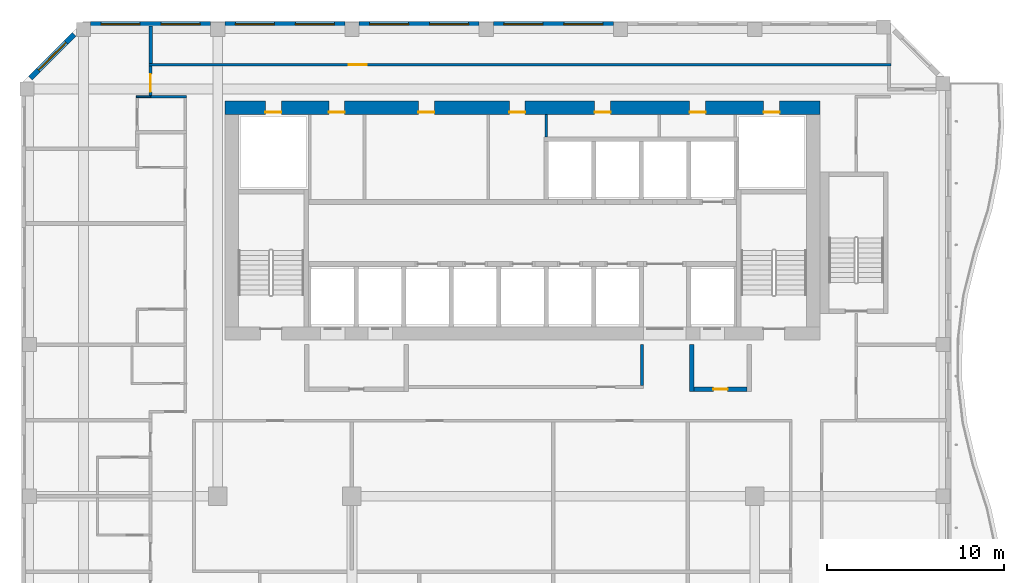
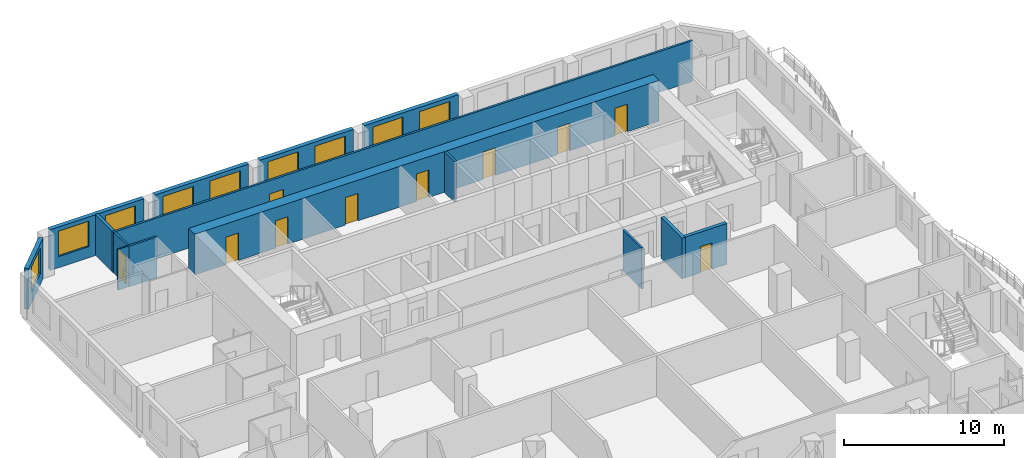
# One storey, part 8 of 21: 15 walls, 10 doors, 9 windows, 19 openings.
"""IFC4 building model written with IfcOpenShell, lengths in metres."""

from ifc_helpers import new_model, si_unit, direction, frame, frame_2d, origin, place, context, subcontext, project, spatial, rectangle, extrude, source, transform, mapped, material, layer, layer_set, type_object, element, fill, save


model = new_model("IFC4")

# Units and contexts
model_context = context("Model", 3, precision=1e-05, world=origin(), true_north=direction((0.0, 1.0)))
body_context = subcontext(model_context, "Body", "Model", "MODEL_VIEW")
ifc_project = project(units=[si_unit("LENGTHUNIT", "METRE"), si_unit("AREAUNIT", "SQUARE_METRE"), si_unit("VOLUMEUNIT", "CUBIC_METRE"), si_unit("PLANEANGLEUNIT", "RADIAN"), si_unit("MASSUNIT", "GRAM", prefix="KILO")], contexts=[model_context])

# Site, building, storey
site_placement = place(None, origin())
site = spatial("IfcSite", under=ifc_project, at=site_placement, CompositionType="ELEMENT")
building_placement = place(site_placement, origin())
building = spatial("IfcBuilding", under=site, at=building_placement, Name="Kilnfold Tower and Market Hall", CompositionType="ELEMENT")
storey_placement = place(building_placement, frame((0.0, 0.0, 185.5)))
storey = spatial("IfcBuildingStorey", under=building, at=storey_placement, Name="L44", CompositionType="ELEMENT", Elevation=185.5)

# Wall, opening, door
ifc_material_1 = material(Name="Gypsum board on steel studs", Category="steel")
ifc_layer_1 = layer(ifc_material_1, 0.14990234375)
ifc_layer_set_1 = layer_set([ifc_layer_1], Name="Gypsum board on steel studs")
wall_type_1 = type_object("IfcWallType", Name="WALL CORRIDOR 150", PredefinedType="PARTITIONING", material=ifc_layer_set_1)
wall_1_placement = place(storey_placement, frame((-19.958984375, 22.074951171875, 0.0), z_axis=(0.0, 0.0, 1.0), x_axis=(0.0, 1.0, 0.0)))
wall_1 = element("IfcWall", 1, at=wall_1_placement, inside=storey, type_object=wall_type_1, Name="Partition LY27.26", PredefinedType="PARTITIONING", context=body_context, shape_type="SweptSolid", body=[
    extrude(rectangle(XDim=1.650146484375, YDim=0.14990234375, at=frame_2d((0.8251953125, 0.0))), origin(), (0.0, 0.0, 1.0), 3.1201171875),
])
opening_1_placement = place(wall_1_placement, frame((0.199951171875, 0.0, 0.0)))
opening_1 = element("IfcOpeningElement", 2, at=opening_1_placement, cuts=wall_1, Name="Opening D1", PredefinedType="OPENING", context=body_context, shape_type="SweptSolid", body=[
    extrude(rectangle(XDim=1.0, YDim=2.10009765625, at=frame_2d((0.5, 1.050048828125))), frame((0.0, 0.0849609375, 0.0), z_axis=(0.0, -1.0, 0.0), x_axis=(1.0, 0.0, 0.0)), (0.0, 0.0, 1.0), 0.169921875),
])
ifc_material_2 = material(Name="Timber veneer door leaf in steel frame", Category="steel")
door_type_1 = type_object("IfcDoorType", Name="DOOR ENTRY 1000 X2100", OperationType="NOTDEFINED", PredefinedType="DOOR", material=ifc_material_2)
door_1_placement = place(opening_1_placement, origin())
door_1 = element("IfcDoor", 3, at=door_1_placement, inside=storey, type_object=door_type_1, Name="Door D1", OperationType="SINGLE_SWING_LEFT", OverallHeight=2.10009765625, OverallWidth=1.0, PredefinedType="DOOR", context=body_context, shape_type="SweptSolid", body=[
    extrude(rectangle(XDim=1.0, YDim=2.10009765625, at=frame_2d((0.5, 1.050048828125))), frame((0.0, 0.02490234375, 0.0), z_axis=(0.0, -1.0, 0.0), x_axis=(1.0, 0.0, 0.0)), (0.0, 0.0, 1.0), 0.050048828125),
])
fill(opening_1, door_1)

# Wall
wall_2_placement = place(storey_placement, frame((-19.958984375, 22.0, 0.0), z_axis=(0.0, 0.0, 1.0), x_axis=(1.0, 0.0, 0.0)))
element("IfcWall", 4, at=wall_2_placement, inside=storey, type_object=wall_type_1, Name="Partition LY27.28", PredefinedType="PARTITIONING", context=body_context, shape_type="SweptSolid", body=[
    extrude(rectangle(XDim=2.033935546875, YDim=0.14990234375, at=frame_2d((1.01708984375, 0.0))), origin(), (0.0, 0.0, 1.0), 3.1201171875),
])

# Wall, opening, door
wall_3_placement = place(storey_placement, frame((21.85009765625, 23.800048828125, 0.0), z_axis=(0.0, 0.0, 1.0), x_axis=(-1.0, 0.0, 0.0)))
wall_3 = element("IfcWall", 5, at=wall_3_placement, inside=storey, type_object=wall_type_1, Name="Partition LY27.39", PredefinedType="PARTITIONING", context=body_context, shape_type="SweptSolid", body=[
    extrude(rectangle(XDim=41.9091796875, YDim=0.14990234375, at=frame_2d((20.95458984375, 0.0))), origin(), (0.0, 0.0, 1.0), 3.1201171875),
])
opening_2_placement = place(wall_3_placement, frame((29.60693359375, 0.0, 0.0)))
opening_2 = element("IfcOpeningElement", 6, at=opening_2_placement, cuts=wall_3, Name="Opening D4", PredefinedType="OPENING", context=body_context, shape_type="SweptSolid", body=[
    extrude(rectangle(XDim=1.0, YDim=2.10009765625, at=frame_2d((0.5, 1.050048828125))), frame((0.0, 0.0849609375, 0.0), z_axis=(0.0, -1.0, 0.0), x_axis=(1.0, 0.0, 0.0)), (0.0, 0.0, 1.0), 0.169921875),
])
ifc_material_3 = material(Name="Timber veneer door leaf in steel frame", Category="steel")
door_type_2 = type_object("IfcDoorType", Name="DOOR SERVICE 1000 X2100", OperationType="NOTDEFINED", PredefinedType="DOOR", material=ifc_material_3)
door_2_placement = place(opening_2_placement, origin())
door_2 = element("IfcDoor", 7, at=door_2_placement, inside=storey, type_object=door_type_2, Name="Door D4", OperationType="SINGLE_SWING_LEFT", OverallHeight=2.10009765625, OverallWidth=1.0, PredefinedType="DOOR", context=body_context, shape_type="SweptSolid", body=[
    extrude(rectangle(XDim=1.0, YDim=2.10009765625, at=frame_2d((0.5, 1.050048828125))), frame((0.0, 0.02490234375, 0.0), z_axis=(0.0, -1.0, 0.0), x_axis=(1.0, 0.0, 0.0)), (0.0, 0.0, 1.0), 0.050048828125),
])
fill(opening_2, door_2)

# Walls
wall_4_placement = place(storey_placement, frame((7.800048828125, 8.0, 0.0), z_axis=(0.0, 0.0, 1.0), x_axis=(0.0, -1.0, 0.0)))
element("IfcWall", 8, at=wall_4_placement, inside=storey, type_object=wall_type_1, Name="Partition LY27.41", PredefinedType="PARTITIONING", context=body_context, shape_type="SweptSolid", body=[
    extrude(rectangle(XDim=2.324951171875, YDim=0.14990234375, at=frame_2d((1.16259765625, 0.0))), origin(), (0.0, 0.0, 1.0), 3.1201171875),
])
ifc_material_4 = material(Name="Gypsum board on steel studs", Category="steel")
ifc_layer_2 = layer(ifc_material_4, 0.10009765625)
ifc_layer_set_2 = layer_set([ifc_layer_2], Name="Gypsum board on steel studs")
wall_type_2 = type_object("IfcWallType", Name="WALL PARTITION 100", PredefinedType="PARTITIONING", material=ifc_layer_set_2)
wall_5_placement = place(storey_placement, frame((-20.751953125, 22.0, 0.0), z_axis=(0.0, 0.0, 1.0), x_axis=(1.0, 0.0, 0.0)))
element("IfcWall", 9, at=wall_5_placement, inside=storey, type_object=wall_type_2, Name="Partition LY27.108", PredefinedType="PARTITIONING", context=body_context, shape_type="SweptSolid", body=[
    extrude(rectangle(XDim=0.791015625, YDim=0.10009765625, at=frame_2d((0.3955078125, 0.0))), origin(), (0.0, 0.0, 1.0), 3.1201171875),
])
ifc_material_5 = material(Name="Gypsum board on steel studs", Category="steel")
ifc_layer_3 = layer(ifc_material_5, 0.199951171875)
ifc_layer_set_3 = layer_set([ifc_layer_3], Name="Gypsum board on steel studs")
wall_type_3 = type_object("IfcWallType", Name="WALL PARTY 200", PredefinedType="PARTITIONING", material=ifc_layer_set_3)
wall_6_placement = place(storey_placement, frame((-19.958984375, 23.876953125, 0.0), z_axis=(0.0, 0.0, 1.0), x_axis=(0.0, 1.0, 0.0)))
element("IfcWall", 10, at=wall_6_placement, inside=storey, type_object=wall_type_3, Name="Partition LY27.110", PredefinedType="PARTITIONING", context=body_context, shape_type="SweptSolid", body=[
    extrude(rectangle(XDim=2.123046875, YDim=0.199951171875, at=frame_2d((1.0615234375, 0.0))), origin(), (0.0, 0.0, 1.0), 3.1201171875),
])

# Wall, openings, doors
ifc_material_6 = material(Name="Concrete C60", Category="concrete")
ifc_layer_4 = layer(ifc_material_6, 0.75)
ifc_layer_set_4 = layer_set([ifc_layer_4], Name="Concrete C60")
wall_type_4 = type_object("IfcWallType", Name="CORE WALL 750 C60", PredefinedType="SHEAR", material=ifc_layer_set_4)
shared_shape_1 = source(origin(), body_context, "Body", "SweptSolid", [
    extrude(rectangle(XDim=33.60009765625, YDim=0.75, at=frame_2d((16.800048828125, 0.0))), origin(), (0.0, 0.0, 1.0), 3.1201171875),
])
wall_7_placement = place(storey_placement, frame((-15.75, 21.375, 0.0), z_axis=(0.0, 0.0, 1.0), x_axis=(1.0, 0.0, 0.0)))
wall_7 = element("IfcWall", 11, at=wall_7_placement, inside=storey, type_object=wall_type_4, Name="Core outer wall north", PredefinedType="SHEAR", context=body_context, shape_type="MappedRepresentation", body=[
    mapped(shared_shape_1, transform((0.0, 0.0, 0.0))),
])
opening_3_placement = place(wall_7_placement, frame((5.85791015625, 0.0, 0.0)))
opening_3 = element("IfcOpeningElement", 12, at=opening_3_placement, cuts=wall_7, Name="Opening KD1", PredefinedType="OPENING", context=body_context, shape_type="SweptSolid", body=[
    extrude(rectangle(XDim=0.89990234375, YDim=2.10009765625, at=frame_2d((0.449951171875, 1.050048828125))), frame((0.0, 0.385009765625, 0.0), z_axis=(0.0, -1.0, 0.0), x_axis=(1.0, 0.0, 0.0)), (0.0, 0.0, 1.0), 0.77001953125),
])
opening_4_placement = place(wall_7_placement, frame((10.923095703125, 0.0, 0.0)))
opening_4 = element("IfcOpeningElement", 13, at=opening_4_placement, cuts=wall_7, Name="Opening KD1", PredefinedType="OPENING", context=body_context, shape_type="SweptSolid", body=[
    extrude(rectangle(XDim=0.89990234375, YDim=2.10009765625, at=frame_2d((0.449951171875, 1.050048828125))), frame((0.0, 0.385009765625, 0.0), z_axis=(0.0, -1.0, 0.0), x_axis=(1.0, 0.0, 0.0)), (0.0, 0.0, 1.0), 0.77001953125),
])
opening_5_placement = place(wall_7_placement, frame((16.05517578125, 0.0, 0.0)))
opening_5 = element("IfcOpeningElement", 14, at=opening_5_placement, cuts=wall_7, Name="Opening KD1", PredefinedType="OPENING", context=body_context, shape_type="SweptSolid", body=[
    extrude(rectangle(XDim=0.89990234375, YDim=2.10009765625, at=frame_2d((0.449951171875, 1.050048828125))), frame((0.0, 0.385009765625, 0.0), z_axis=(0.0, -1.0, 0.0), x_axis=(1.0, 0.0, 0.0)), (0.0, 0.0, 1.0), 0.77001953125),
])
opening_6_placement = place(wall_7_placement, frame((20.879150390625, 0.0, 0.0)))
opening_6 = element("IfcOpeningElement", 15, at=opening_6_placement, cuts=wall_7, Name="Opening KD1", PredefinedType="OPENING", context=body_context, shape_type="SweptSolid", body=[
    extrude(rectangle(XDim=0.89990234375, YDim=2.10009765625, at=frame_2d((0.449951171875, 1.050048828125))), frame((0.0, 0.385009765625, 0.0), z_axis=(0.0, -1.0, 0.0), x_axis=(1.0, 0.0, 0.0)), (0.0, 0.0, 1.0), 0.77001953125),
])
opening_7_placement = place(wall_7_placement, frame((26.2392578125, 0.0, 0.0)))
opening_7 = element("IfcOpeningElement", 16, at=opening_7_placement, cuts=wall_7, Name="Opening KD1", PredefinedType="OPENING", context=body_context, shape_type="SweptSolid", body=[
    extrude(rectangle(XDim=0.89990234375, YDim=2.10009765625, at=frame_2d((0.449951171875, 1.050048828125))), frame((0.0, 0.385009765625, 0.0), z_axis=(0.0, -1.0, 0.0), x_axis=(1.0, 0.0, 0.0)), (0.0, 0.0, 1.0), 0.77001953125),
])
opening_8_placement = place(wall_7_placement, frame((2.27490234375, 0.0, 0.0)))
opening_8 = element("IfcOpeningElement", 17, at=opening_8_placement, cuts=wall_7, Name="Opening KD1", PredefinedType="OPENING", context=body_context, shape_type="SweptSolid", body=[
    extrude(rectangle(XDim=0.89990234375, YDim=2.10009765625, at=frame_2d((0.449951171875, 1.050048828125))), frame((0.0, 0.385009765625, 0.0), z_axis=(0.0, -1.0, 0.0), x_axis=(1.0, 0.0, 0.0)), (0.0, 0.0, 1.0), 0.77001953125),
])
opening_9_placement = place(wall_7_placement, frame((30.425048828125, 0.0, 0.0)))
opening_9 = element("IfcOpeningElement", 18, at=opening_9_placement, cuts=wall_7, Name="Opening KD1", PredefinedType="OPENING", context=body_context, shape_type="SweptSolid", body=[
    extrude(rectangle(XDim=0.89990234375, YDim=2.10009765625, at=frame_2d((0.449951171875, 1.050048828125))), frame((0.0, 0.385009765625, 0.0), z_axis=(0.0, -1.0, 0.0), x_axis=(1.0, 0.0, 0.0)), (0.0, 0.0, 1.0), 0.77001953125),
])
ifc_material_7 = material(Name="Steel door set with fire-resisting leaf", Category="steel")
door_type_3 = type_object("IfcDoorType", Name="SERVICE DOOR 900X2100", OperationType="NOTDEFINED", PredefinedType="DOOR", material=ifc_material_7)
door_3_placement = place(opening_3_placement, origin())
door_3 = element("IfcDoor", 19, at=door_3_placement, inside=storey, type_object=door_type_3, Name="Core service door", OperationType="SINGLE_SWING_RIGHT", OverallHeight=2.10009765625, OverallWidth=0.89990234375, PredefinedType="DOOR", context=body_context, shape_type="SweptSolid", body=[
    extrude(rectangle(XDim=0.89990234375, YDim=2.10009765625, at=frame_2d((0.449951171875, 1.050048828125))), frame((0.0, -0.22998046875, 0.0), z_axis=(0.0, -1.0, 0.0), x_axis=(1.0, 0.0, 0.0)), (0.0, 0.0, 1.0), 0.050048828125),
])
fill(opening_3, door_3)
door_4_placement = place(opening_4_placement, origin())
door_4 = element("IfcDoor", 20, at=door_4_placement, inside=storey, type_object=door_type_3, Name="Core service door", OperationType="SINGLE_SWING_LEFT", OverallHeight=2.10009765625, OverallWidth=0.89990234375, PredefinedType="DOOR", context=body_context, shape_type="SweptSolid", body=[
    extrude(rectangle(XDim=0.89990234375, YDim=2.10009765625, at=frame_2d((0.449951171875, 1.050048828125))), frame((0.0, -0.22998046875, 0.0), z_axis=(0.0, -1.0, 0.0), x_axis=(1.0, 0.0, 0.0)), (0.0, 0.0, 1.0), 0.050048828125),
])
fill(opening_4, door_4)
door_5_placement = place(opening_5_placement, origin())
door_5 = element("IfcDoor", 21, at=door_5_placement, inside=storey, type_object=door_type_3, Name="Core service door", OperationType="SINGLE_SWING_RIGHT", OverallHeight=2.10009765625, OverallWidth=0.89990234375, PredefinedType="DOOR", context=body_context, shape_type="SweptSolid", body=[
    extrude(rectangle(XDim=0.89990234375, YDim=2.10009765625, at=frame_2d((0.449951171875, 1.050048828125))), frame((0.0, -0.22998046875, 0.0), z_axis=(0.0, -1.0, 0.0), x_axis=(1.0, 0.0, 0.0)), (0.0, 0.0, 1.0), 0.050048828125),
])
fill(opening_5, door_5)
door_6_placement = place(opening_6_placement, origin())
door_6 = element("IfcDoor", 22, at=door_6_placement, inside=storey, type_object=door_type_3, Name="Core service door", OperationType="SINGLE_SWING_LEFT", OverallHeight=2.10009765625, OverallWidth=0.89990234375, PredefinedType="DOOR", context=body_context, shape_type="SweptSolid", body=[
    extrude(rectangle(XDim=0.89990234375, YDim=2.10009765625, at=frame_2d((0.449951171875, 1.050048828125))), frame((0.0, -0.22998046875, 0.0), z_axis=(0.0, -1.0, 0.0), x_axis=(1.0, 0.0, 0.0)), (0.0, 0.0, 1.0), 0.050048828125),
])
fill(opening_6, door_6)
door_7_placement = place(opening_7_placement, origin())
door_7 = element("IfcDoor", 23, at=door_7_placement, inside=storey, type_object=door_type_3, Name="Core service door", OperationType="SINGLE_SWING_RIGHT", OverallHeight=2.10009765625, OverallWidth=0.89990234375, PredefinedType="DOOR", context=body_context, shape_type="SweptSolid", body=[
    extrude(rectangle(XDim=0.89990234375, YDim=2.10009765625, at=frame_2d((0.449951171875, 1.050048828125))), frame((0.0, -0.22998046875, 0.0), z_axis=(0.0, -1.0, 0.0), x_axis=(1.0, 0.0, 0.0)), (0.0, 0.0, 1.0), 0.050048828125),
])
fill(opening_7, door_7)
door_8_placement = place(opening_8_placement, origin())
door_8 = element("IfcDoor", 24, at=door_8_placement, inside=storey, type_object=door_type_3, Name="Electrical riser access door", OperationType="SINGLE_SWING_LEFT", OverallHeight=2.10009765625, OverallWidth=0.89990234375, PredefinedType="DOOR", context=body_context, shape_type="SweptSolid", body=[
    extrude(rectangle(XDim=0.89990234375, YDim=2.10009765625, at=frame_2d((0.449951171875, 1.050048828125))), frame((0.0, -0.22998046875, 0.0), z_axis=(0.0, -1.0, 0.0), x_axis=(1.0, 0.0, 0.0)), (0.0, 0.0, 1.0), 0.050048828125),
])
fill(opening_8, door_8)
door_9_placement = place(opening_9_placement, origin())
door_9 = element("IfcDoor", 25, at=door_9_placement, inside=storey, type_object=door_type_3, Name="Mechanical riser access door", OperationType="SINGLE_SWING_RIGHT", OverallHeight=2.10009765625, OverallWidth=0.89990234375, PredefinedType="DOOR", context=body_context, shape_type="SweptSolid", body=[
    extrude(rectangle(XDim=0.89990234375, YDim=2.10009765625, at=frame_2d((0.449951171875, 1.050048828125))), frame((0.0, -0.22998046875, 0.0), z_axis=(0.0, -1.0, 0.0), x_axis=(1.0, 0.0, 0.0)), (0.0, 0.0, 1.0), 0.050048828125),
])
fill(opening_9, door_9)

# Wall, openings, windows
ifc_material_8 = material(Name="Precast concrete C50/60", Category="concrete")
ifc_layer_5 = layer(ifc_material_8, 0.300048828125)
ifc_layer_set_5 = layer_set([ifc_layer_5], Name="Precast concrete C50/60")
wall_type_5 = type_object("IfcWallType", Name="PRECAST WALL 300", PredefinedType="SOLIDWALL", material=ifc_layer_set_5)
shared_shape_2 = source(origin(), body_context, "Body", "SweptSolid", [
    extrude(rectangle(XDim=6.783447265625, YDim=0.300048828125, at=frame_2d((3.3916015625, 0.0))), origin(), (0.0, 0.0, 1.0), 3.1201171875),
])
wall_8_placement = place(storey_placement, frame((6.183349609375, 26.10009765625, 0.0), z_axis=(0.0, 0.0, 1.0), x_axis=(-1.0, 0.0, 0.0)))
wall_8 = element("IfcWall", 26, at=wall_8_placement, inside=storey, type_object=wall_type_5, Name="External wall L44 N", PredefinedType="SOLIDWALL", context=body_context, shape_type="MappedRepresentation", body=[
    mapped(shared_shape_2, transform((0.0, 0.0, 0.0))),
])
opening_10_placement = place(wall_8_placement, frame((0.595703125, 0.0, 0.85009765625)))
opening_10 = element("IfcOpeningElement", 27, at=opening_10_placement, cuts=wall_8, Name="Opening W2", PredefinedType="OPENING", context=body_context, shape_type="SweptSolid", body=[
    extrude(rectangle(XDim=2.199951171875, YDim=1.949951171875, at=frame_2d((1.10009765625, 0.97509765625))), frame((0.0, 0.16015625, 0.0), z_axis=(0.0, -1.0, 0.0), x_axis=(1.0, 0.0, 0.0)), (0.0, 0.0, 1.0), 0.320068359375),
])
opening_11_placement = place(wall_8_placement, frame((3.987548828125, 0.0, 0.85009765625)))
opening_11 = element("IfcOpeningElement", 28, at=opening_11_placement, cuts=wall_8, Name="Opening W2", PredefinedType="OPENING", context=body_context, shape_type="SweptSolid", body=[
    extrude(rectangle(XDim=2.199951171875, YDim=1.949951171875, at=frame_2d((1.10009765625, 0.97509765625))), frame((0.0, 0.16015625, 0.0), z_axis=(0.0, -1.0, 0.0), x_axis=(1.0, 0.0, 0.0)), (0.0, 0.0, 1.0), 0.320068359375),
])
ifc_material_9 = material(Name="Aluminium frame and double glazing", Category="aluminium")
window_type = type_object("IfcWindowType", Name="WINDOW W2 2200X1950", PartitioningType="SINGLE_PANEL", PredefinedType="WINDOW", material=ifc_material_9)
window_1_placement = place(opening_10_placement, origin())
window_1 = element("IfcWindow", 29, at=window_1_placement, inside=storey, type_object=window_type, Name="Window W2 L44 N-1", OverallHeight=1.949951171875, OverallWidth=2.199951171875, PartitioningType="SINGLE_PANEL", PredefinedType="WINDOW", context=body_context, shape_type="SweptSolid", body=[
    extrude(rectangle(XDim=2.199951171875, YDim=1.949951171875, at=frame_2d((1.10009765625, 0.97509765625))), frame((0.0, 0.030029296875, 0.0), z_axis=(0.0, -1.0, 0.0), x_axis=(1.0, 0.0, 0.0)), (0.0, 0.0, 1.0), 0.06005859375),
])
fill(opening_10, window_1)
window_2_placement = place(opening_11_placement, origin())
window_2 = element("IfcWindow", 30, at=window_2_placement, inside=storey, type_object=window_type, Name="Window W2 L44 N-2", OverallHeight=1.949951171875, OverallWidth=2.199951171875, PartitioningType="SINGLE_PANEL", PredefinedType="WINDOW", context=body_context, shape_type="SweptSolid", body=[
    extrude(rectangle(XDim=2.199951171875, YDim=1.949951171875, at=frame_2d((1.10009765625, 0.97509765625))), frame((0.0, 0.030029296875, 0.0), z_axis=(0.0, -1.0, 0.0), x_axis=(1.0, 0.0, 0.0)), (0.0, 0.0, 1.0), 0.06005859375),
])
fill(opening_11, window_2)

wall_9_placement = place(storey_placement, frame((-1.39990234375, 26.10009765625, 0.0), z_axis=(0.0, 0.0, 1.0), x_axis=(-1.0, 0.0, 0.0)))
wall_9 = element("IfcWall", 31, at=wall_9_placement, inside=storey, type_object=wall_type_5, Name="External wall L44 N", PredefinedType="SOLIDWALL", context=body_context, shape_type="MappedRepresentation", body=[
    mapped(shared_shape_2, transform((0.0, 0.0, 0.0))),
])
opening_12_placement = place(wall_9_placement, frame((0.595703125, 0.0, 0.85009765625)))
opening_12 = element("IfcOpeningElement", 32, at=opening_12_placement, cuts=wall_9, Name="Opening W2", PredefinedType="OPENING", context=body_context, shape_type="SweptSolid", body=[
    extrude(rectangle(XDim=2.199951171875, YDim=1.949951171875, at=frame_2d((1.10009765625, 0.97509765625))), frame((0.0, 0.16015625, 0.0), z_axis=(0.0, -1.0, 0.0), x_axis=(1.0, 0.0, 0.0)), (0.0, 0.0, 1.0), 0.320068359375),
])
opening_13_placement = place(wall_9_placement, frame((3.987548828125, 0.0, 0.85009765625)))
opening_13 = element("IfcOpeningElement", 33, at=opening_13_placement, cuts=wall_9, Name="Opening W2", PredefinedType="OPENING", context=body_context, shape_type="SweptSolid", body=[
    extrude(rectangle(XDim=2.199951171875, YDim=1.949951171875, at=frame_2d((1.10009765625, 0.97509765625))), frame((0.0, 0.16015625, 0.0), z_axis=(0.0, -1.0, 0.0), x_axis=(1.0, 0.0, 0.0)), (0.0, 0.0, 1.0), 0.320068359375),
])
window_3_placement = place(opening_12_placement, origin())
window_3 = element("IfcWindow", 34, at=window_3_placement, inside=storey, type_object=window_type, Name="Window W2 L44 N-1", OverallHeight=1.949951171875, OverallWidth=2.199951171875, PartitioningType="SINGLE_PANEL", PredefinedType="WINDOW", context=body_context, shape_type="SweptSolid", body=[
    extrude(rectangle(XDim=2.199951171875, YDim=1.949951171875, at=frame_2d((1.10009765625, 0.97509765625))), frame((0.0, 0.030029296875, 0.0), z_axis=(0.0, -1.0, 0.0), x_axis=(1.0, 0.0, 0.0)), (0.0, 0.0, 1.0), 0.06005859375),
])
fill(opening_12, window_3)
window_4_placement = place(opening_13_placement, origin())
window_4 = element("IfcWindow", 35, at=window_4_placement, inside=storey, type_object=window_type, Name="Window W2 L44 N-2", OverallHeight=1.949951171875, OverallWidth=2.199951171875, PartitioningType="SINGLE_PANEL", PredefinedType="WINDOW", context=body_context, shape_type="SweptSolid", body=[
    extrude(rectangle(XDim=2.199951171875, YDim=1.949951171875, at=frame_2d((1.10009765625, 0.97509765625))), frame((0.0, 0.030029296875, 0.0), z_axis=(0.0, -1.0, 0.0), x_axis=(1.0, 0.0, 0.0)), (0.0, 0.0, 1.0), 0.06005859375),
])
fill(opening_13, window_4)

wall_10_placement = place(storey_placement, frame((-16.566650390625, 26.10009765625, 0.0), z_axis=(0.0, 0.0, 1.0), x_axis=(-1.0, 0.0, 0.0)))
wall_10 = element("IfcWall", 36, at=wall_10_placement, inside=storey, type_object=wall_type_5, Name="External wall L44 N", PredefinedType="SOLIDWALL", context=body_context, shape_type="MappedRepresentation", body=[
    mapped(shared_shape_2, transform((0.0, 0.0, 0.0))),
])
opening_14_placement = place(wall_10_placement, frame((0.595703125, 0.0, 0.85009765625)))
opening_14 = element("IfcOpeningElement", 37, at=opening_14_placement, cuts=wall_10, Name="Opening W2", PredefinedType="OPENING", context=body_context, shape_type="SweptSolid", body=[
    extrude(rectangle(XDim=2.199951171875, YDim=1.949951171875, at=frame_2d((1.10009765625, 0.97509765625))), frame((0.0, 0.16015625, 0.0), z_axis=(0.0, -1.0, 0.0), x_axis=(1.0, 0.0, 0.0)), (0.0, 0.0, 1.0), 0.320068359375),
])
opening_15_placement = place(wall_10_placement, frame((3.987548828125, 0.0, 0.85009765625)))
opening_15 = element("IfcOpeningElement", 38, at=opening_15_placement, cuts=wall_10, Name="Opening W2", PredefinedType="OPENING", context=body_context, shape_type="SweptSolid", body=[
    extrude(rectangle(XDim=2.199951171875, YDim=1.949951171875, at=frame_2d((1.10009765625, 0.97509765625))), frame((0.0, 0.16015625, 0.0), z_axis=(0.0, -1.0, 0.0), x_axis=(1.0, 0.0, 0.0)), (0.0, 0.0, 1.0), 0.320068359375),
])
window_5_placement = place(opening_14_placement, origin())
window_5 = element("IfcWindow", 39, at=window_5_placement, inside=storey, type_object=window_type, Name="Window W2 L44 N-1", OverallHeight=1.949951171875, OverallWidth=2.199951171875, PartitioningType="SINGLE_PANEL", PredefinedType="WINDOW", context=body_context, shape_type="SweptSolid", body=[
    extrude(rectangle(XDim=2.199951171875, YDim=1.949951171875, at=frame_2d((1.10009765625, 0.97509765625))), frame((0.0, 0.030029296875, 0.0), z_axis=(0.0, -1.0, 0.0), x_axis=(1.0, 0.0, 0.0)), (0.0, 0.0, 1.0), 0.06005859375),
])
fill(opening_14, window_5)
window_6_placement = place(opening_15_placement, origin())
window_6 = element("IfcWindow", 40, at=window_6_placement, inside=storey, type_object=window_type, Name="Window W2 L44 N-2", OverallHeight=1.949951171875, OverallWidth=2.199951171875, PartitioningType="SINGLE_PANEL", PredefinedType="WINDOW", context=body_context, shape_type="SweptSolid", body=[
    extrude(rectangle(XDim=2.199951171875, YDim=1.949951171875, at=frame_2d((1.10009765625, 0.97509765625))), frame((0.0, 0.030029296875, 0.0), z_axis=(0.0, -1.0, 0.0), x_axis=(1.0, 0.0, 0.0)), (0.0, 0.0, 1.0), 0.06005859375),
])
fill(opening_15, window_6)

shared_shape_3 = source(origin(), body_context, "Body", "SweptSolid", [
    extrude(rectangle(XDim=6.783203125, YDim=0.300048828125, at=frame_2d((3.3916015625, 0.0))), origin(), (0.0, 0.0, 1.0), 3.1201171875),
])
wall_11_placement = place(storey_placement, frame((-8.9833984375, 26.10009765625, 0.0), z_axis=(0.0, 0.0, 1.0), x_axis=(-1.0, 0.0, 0.0)))
wall_11 = element("IfcWall", 41, at=wall_11_placement, inside=storey, type_object=wall_type_5, Name="External wall L44 N", PredefinedType="SOLIDWALL", context=body_context, shape_type="MappedRepresentation", body=[
    mapped(shared_shape_3, transform((0.0, 0.0, 0.0))),
])
opening_16_placement = place(wall_11_placement, frame((0.595703125, 0.0, 0.85009765625)))
opening_16 = element("IfcOpeningElement", 42, at=opening_16_placement, cuts=wall_11, Name="Opening W2", PredefinedType="OPENING", context=body_context, shape_type="SweptSolid", body=[
    extrude(rectangle(XDim=2.199951171875, YDim=1.949951171875, at=frame_2d((1.10009765625, 0.97509765625))), frame((0.0, 0.16015625, 0.0), z_axis=(0.0, -1.0, 0.0), x_axis=(1.0, 0.0, 0.0)), (0.0, 0.0, 1.0), 0.320068359375),
])
opening_17_placement = place(wall_11_placement, frame((3.987548828125, 0.0, 0.85009765625)))
opening_17 = element("IfcOpeningElement", 43, at=opening_17_placement, cuts=wall_11, Name="Opening W2", PredefinedType="OPENING", context=body_context, shape_type="SweptSolid", body=[
    extrude(rectangle(XDim=2.199951171875, YDim=1.949951171875, at=frame_2d((1.10009765625, 0.97509765625))), frame((0.0, 0.16015625, 0.0), z_axis=(0.0, -1.0, 0.0), x_axis=(1.0, 0.0, 0.0)), (0.0, 0.0, 1.0), 0.320068359375),
])
window_7_placement = place(opening_16_placement, origin())
window_7 = element("IfcWindow", 44, at=window_7_placement, inside=storey, type_object=window_type, Name="Window W2 L44 N-1", OverallHeight=1.949951171875, OverallWidth=2.199951171875, PartitioningType="SINGLE_PANEL", PredefinedType="WINDOW", context=body_context, shape_type="SweptSolid", body=[
    extrude(rectangle(XDim=2.199951171875, YDim=1.949951171875, at=frame_2d((1.10009765625, 0.97509765625))), frame((0.0, 0.030029296875, 0.0), z_axis=(0.0, -1.0, 0.0), x_axis=(1.0, 0.0, 0.0)), (0.0, 0.0, 1.0), 0.06005859375),
])
fill(opening_16, window_7)
window_8_placement = place(opening_17_placement, origin())
window_8 = element("IfcWindow", 45, at=window_8_placement, inside=storey, type_object=window_type, Name="Window W2 L44 N-2", OverallHeight=1.949951171875, OverallWidth=2.199951171875, PartitioningType="SINGLE_PANEL", PredefinedType="WINDOW", context=body_context, shape_type="SweptSolid", body=[
    extrude(rectangle(XDim=2.199951171875, YDim=1.949951171875, at=frame_2d((1.10009765625, 0.97509765625))), frame((0.0, 0.030029296875, 0.0), z_axis=(0.0, -1.0, 0.0), x_axis=(1.0, 0.0, 0.0)), (0.0, 0.0, 1.0), 0.06005859375),
])
fill(opening_17, window_8)

# Wall, opening, window
shared_shape_4 = source(origin(), body_context, "Body", "SweptSolid", [
    extrude(rectangle(XDim=3.500244140625, YDim=0.300048828125, at=frame_2d((1.75, 0.0))), origin(), (0.0, 0.0, 1.0), 3.1201171875),
])
wall_12_placement = place(storey_placement, frame((-24.268798828125, 25.518798828125, 0.0), z_axis=(0.0, 0.0, 1.0), x_axis=(-0.707141656123, -0.70707190453, 0.0)))
wall_12 = element("IfcWall", 46, at=wall_12_placement, inside=storey, type_object=wall_type_5, Name="External wall L44 NW", PredefinedType="SOLIDWALL", context=body_context, shape_type="MappedRepresentation", body=[
    mapped(shared_shape_4, transform((0.0, 0.0, 0.0))),
])
opening_18_placement = place(wall_12_placement, frame((0.650146484375, 0.0, 0.85009765625)))
opening_18 = element("IfcOpeningElement", 47, at=opening_18_placement, cuts=wall_12, Name="Opening W2", PredefinedType="OPENING", context=body_context, shape_type="SweptSolid", body=[
    extrude(rectangle(XDim=2.199951171875, YDim=1.949951171875, at=frame_2d((1.10009765625, 0.97509765625))), frame((0.0, 0.16015625, 0.0), z_axis=(0.0, -1.0, 0.0), x_axis=(1.0, 0.0, 0.0)), (0.0, 0.0, 1.0), 0.320068359375),
])
window_9_placement = place(opening_18_placement, origin())
window_9 = element("IfcWindow", 48, at=window_9_placement, inside=storey, type_object=window_type, Name="Window W2 L44 NW-1", OverallHeight=1.949951171875, OverallWidth=2.199951171875, PartitioningType="SINGLE_PANEL", PredefinedType="WINDOW", context=body_context, shape_type="SweptSolid", body=[
    extrude(rectangle(XDim=2.199951171875, YDim=1.949951171875, at=frame_2d((1.10009765625, 0.97509765625))), frame((0.0, 0.030029296875, 0.0), z_axis=(0.0, -1.0, 0.0), x_axis=(1.0, 0.0, 0.0)), (0.0, 0.0, 1.0), 0.06005859375),
])
fill(opening_18, window_9)

# Wall
ifc_material_10 = material(Name="Gypsum shaft wall system")
ifc_layer_6 = layer(ifc_material_10, 0.25)
ifc_layer_set_6 = layer_set([ifc_layer_6], Name="Gypsum shaft wall system")
wall_type_6 = type_object("IfcWallType", Name="LOBBY WALL 250", PredefinedType="PARTITIONING", material=ifc_layer_set_6)
shared_shape_5 = source(origin(), body_context, "Body", "SweptSolid", [
    extrude(rectangle(XDim=2.64990234375, YDim=0.25, at=frame_2d((1.324951171875, 0.0))), origin(), (0.0, 0.0, 1.0), 3.1201171875),
])
wall_13_placement = place(storey_placement, frame((10.60498046875, 5.35009765625, 0.0), z_axis=(0.0, 0.0, 1.0), x_axis=(0.0, 1.0, 0.0)))
element("IfcWall", 49, at=wall_13_placement, inside=storey, type_object=wall_type_6, Name="Firefighting lobby wall", PredefinedType="PARTITIONING", context=body_context, shape_type="MappedRepresentation", body=[
    mapped(shared_shape_5, transform((0.0, 0.0, 0.0))),
])

# Wall, opening, door
shared_shape_6 = source(origin(), body_context, "Body", "SweptSolid", [
    extrude(rectangle(XDim=3.0, YDim=0.25, at=frame_2d((1.5, 0.0))), origin(), (0.0, 0.0, 1.0), 3.1201171875),
])
wall_14_placement = place(storey_placement, frame((10.72998046875, 5.47509765625, 0.0), z_axis=(0.0, 0.0, 1.0), x_axis=(1.0, 0.0, 0.0)))
wall_14 = element("IfcWall", 50, at=wall_14_placement, inside=storey, type_object=wall_type_6, Name="Firefighting lobby wall", PredefinedType="PARTITIONING", context=body_context, shape_type="MappedRepresentation", body=[
    mapped(shared_shape_6, transform((0.0, 0.0, 0.0))),
])
opening_19_placement = place(wall_14_placement, frame((1.10009765625, 0.0, 0.0)))
opening_19 = element("IfcOpeningElement", 51, at=opening_19_placement, cuts=wall_14, Name="Opening VD1", PredefinedType="OPENING", context=body_context, shape_type="SweptSolid", body=[
    extrude(rectangle(XDim=0.800048828125, YDim=2.0, at=frame_2d((0.39990234375, 1.0))), frame((0.0, 0.135009765625, 0.0), z_axis=(0.0, -1.0, 0.0), x_axis=(1.0, 0.0, 0.0)), (0.0, 0.0, 1.0), 0.27001953125),
])
ifc_material_11 = material(Name="Steel door set with fire-resisting leaf", Category="steel")
door_type_4 = type_object("IfcDoorType", Name="FIREFIGHTING LOBBY DOOR 800X2000", OperationType="NOTDEFINED", PredefinedType="DOOR", material=ifc_material_11)
door_10_placement = place(opening_19_placement, origin())
door_10 = element("IfcDoor", 52, at=door_10_placement, inside=storey, type_object=door_type_4, Name="Firefighting lobby door", OperationType="SINGLE_SWING_RIGHT", OverallHeight=2.0, OverallWidth=0.800048828125, PredefinedType="DOOR", context=body_context, shape_type="SweptSolid", body=[
    extrude(rectangle(XDim=0.800048828125, YDim=2.0, at=frame_2d((0.39990234375, 1.0))), frame((0.0, 0.02490234375, 0.0), z_axis=(0.0, -1.0, 0.0), x_axis=(1.0, 0.0, 0.0)), (0.0, 0.0, 1.0), 0.050048828125),
])
fill(opening_19, door_10)

# Wall
ifc_material_12 = material(Name="Gypsum shaft wall system")
ifc_layer_7 = layer(ifc_material_12, 0.14990234375)
ifc_layer_set_7 = layer_set([ifc_layer_7], Name="Gypsum shaft wall system")
wall_type_7 = type_object("IfcWallType", Name="ROOM WALL 150", PredefinedType="PARTITIONING", material=ifc_layer_set_7)
shared_shape_7 = source(origin(), body_context, "Body", "SweptSolid", [
    extrude(rectangle(XDim=1.27490234375, YDim=0.14990234375, at=frame_2d((0.637451171875, 0.0))), origin(), (0.0, 0.0, 1.0), 3.1201171875),
])
wall_15_placement = place(storey_placement, frame((2.389892578125, 19.72509765625, 0.0), z_axis=(0.0, 0.0, 1.0), x_axis=(0.0, 1.0, 0.0)))
element("IfcWall", 53, at=wall_15_placement, inside=storey, type_object=wall_type_7, Name="Core room wall", PredefinedType="PARTITIONING", context=body_context, shape_type="MappedRepresentation", body=[
    mapped(shared_shape_7, transform((0.0, 0.0, 0.0))),
])

save(model, "model.ifc")
